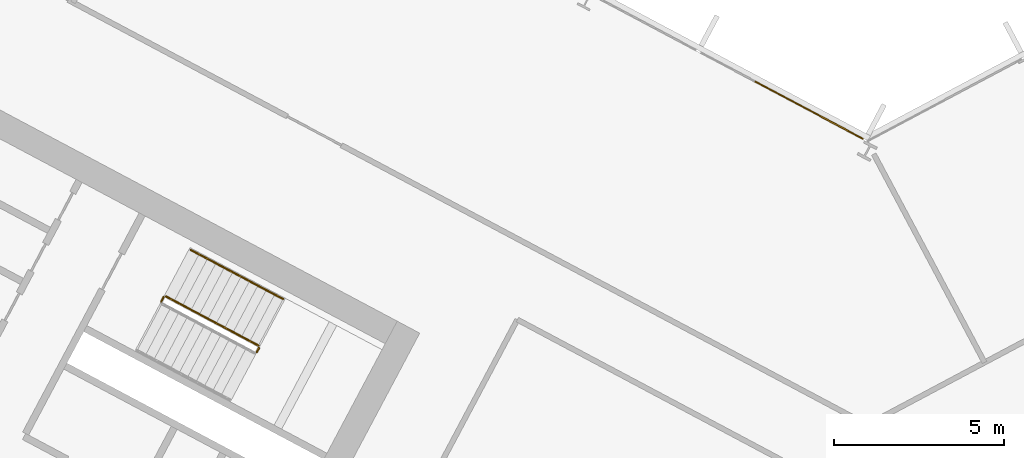
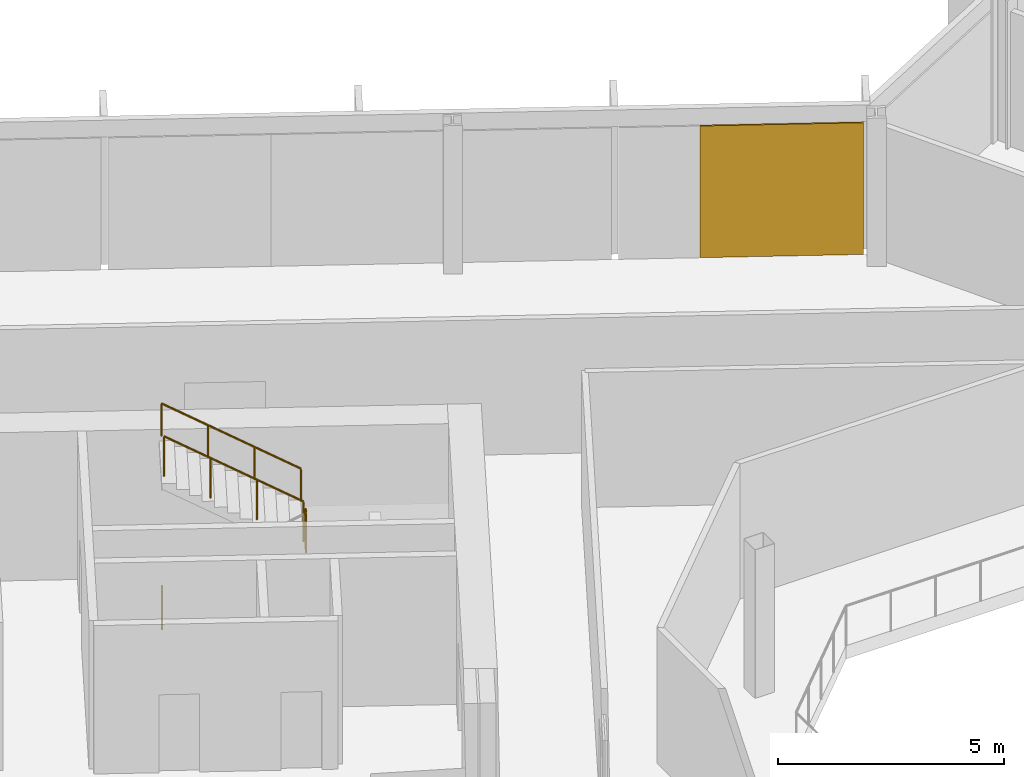
# One storey, part 23 of 28: 4 railings, 1 covering, 1 element without a shape of its own.
"""IFC4 building model written with IfcOpenShell, lengths in metres."""

from ifc_helpers import new_model, si_unit, direction, frame, origin, origin_2d, place, context, subcontext, project, spatial, polyline, rectangle, outline, extrude, material, layer, layer_set, type_object, element, aggregate, save


model = new_model("IFC4")

# Units and contexts
model_context = context("Model", 3, precision=1e-05, world=origin(), true_north=direction((0.0, 1.0)))
body_context = subcontext(model_context, "Body", "Model", "MODEL_VIEW")
ifc_project = project(units=[si_unit("LENGTHUNIT", "METRE"), si_unit("AREAUNIT", "SQUARE_METRE"), si_unit("VOLUMEUNIT", "CUBIC_METRE"), si_unit("PLANEANGLEUNIT", "RADIAN"), si_unit("MASSUNIT", "GRAM", prefix="KILO")], contexts=[model_context])

# Site, building, storey
site_placement = place(None, origin())
site = spatial("IfcSite", under=ifc_project, at=site_placement, CompositionType="ELEMENT")
building_placement = place(site_placement, origin())
building = spatial("IfcBuilding", under=site, at=building_placement, Name="Cormorant Relay Tower", CompositionType="ELEMENT")
storey_placement = place(building_placement, frame((0.0, 0.0, 126.199951171875)))
storey = spatial("IfcBuildingStorey", under=building, at=storey_placement, Name="L25", CompositionType="ELEMENT", Elevation=126.199951171875)

# Curtain wall, covering
ifc_material_1 = material(Name="Aluminium 6063-T6 anodised bronze", Category="aluminium")
ifc_layer_1 = layer(ifc_material_1, 0.199951171875)
ifc_layer_set_1 = layer_set([ifc_layer_1], Name="CW1 unitised bronze curtain wall with vertical fins")
curtain_wall_type = type_object("IfcCurtainWallType", Name="CW1 unitised bronze curtain wall with vertical fins", PredefinedType="NOTDEFINED", material=ifc_layer_set_1)
curtain_wall_placement = place(storey_placement, origin())
curtain_wall = element("IfcCurtainWall", 1, at=curtain_wall_placement, inside=storey, type_object=curtain_wall_type, Name="CW1 curtain wall 9", PredefinedType="NOTDEFINED")
ifc_material_2 = material(Name="Pale bronze anodised aluminium insulated panel", Category="aluminium")
ifc_layer_2 = layer(ifc_material_2, 0.0400390625)
ifc_layer_set_2 = layer_set([ifc_layer_2], Name="CW1 pale bronze insulated panel 40")
covering_type = type_object("IfcCoveringType", Name="CW1 pale bronze insulated panel 40", PredefinedType="CLADDING", material=ifc_layer_set_2)
covering_placement = place(storey_placement, frame((-1.718505859375, 24.720458984375, 0.0), z_axis=(0.0, 0.0, 1.0), x_axis=(-0.882947592859, 0.469471562786, 0.0)))
covering = element("IfcCovering", 2, at=covering_placement, type_object=covering_type, Name="CW1 panel S00", PredefinedType="CLADDING", context=body_context, shape_type="SweptSolid", body=[
    extrude(rectangle(XDim=3.614013671875, YDim=0.0400390625, at=origin_2d()), origin(), (0.0, 0.0, 1.0), 3.550048828125),
])
aggregate(curtain_wall, [covering])

# Railings
ifc_material_3 = material(Name="Steel ASTM A572 Grade 50 (Fy 345 MPa)", Category="steel")
railing_type_1 = type_object("IfcRailingType", Name="Stair guard 1100", PredefinedType="GUARDRAIL", material=ifc_material_3)
railing_1_placement = place(storey_placement, frame((-17.96337890625, 17.592529296875, 2.0)))
element("IfcRailing", 3, at=railing_1_placement, inside=storey, type_object=railing_type_1, Name="L25 A1 stair guard 2", PredefinedType="GUARDRAIL", context=body_context, shape_type="SweptSolid", body=[
    extrude(outline(polyline([(0.022216796875, 0.00927734375), (0.00927734375, 0.022216796875), (-0.00927734375, 0.022216796875), (-0.022216796875, 0.00927734375), (-0.022216796875, -0.00927734375), (-0.00927734375, -0.022216796875), (0.00927734375, -0.022216796875), (0.022216796875, -0.00927734375), (0.022216796875, 0.00927734375)])), frame((0.0, 0.0, 1.076171875), z_axis=(0.46856034887, 0.8834314911, 0.0), x_axis=(-0.8834314911, 0.46856034887, 0.0)), (0.0, 0.0, 1.0), 0.150146484375),
    extrude(outline(polyline([(0.019287109375, 0.008056640625), (0.008056640625, 0.019287109375), (-0.008056640625, 0.019287109375), (-0.019287109375, 0.008056640625), (-0.019287109375, -0.008056640625), (-0.008056640625, -0.019287109375), (0.008056640625, -0.019287109375), (0.019287109375, -0.008056640625), (0.019287109375, 0.008056640625)])), origin(), (0.0, 0.0, 1.0), 1.052001953125),
    extrude(outline(polyline([(0.019287109375, 0.008056640625), (0.008056640625, 0.019287109375), (-0.008056640625, 0.019287109375), (-0.019287109375, 0.008056640625), (-0.019287109375, -0.008056640625), (-0.008056640625, -0.019287109375), (0.008056640625, -0.019287109375), (0.019287109375, -0.008056640625), (0.019287109375, 0.008056640625)])), frame((0.0703125, 0.132568359375, 0.0)), (0.0, 0.0, 1.0), 1.052001953125),
])
railing_2_placement = place(storey_placement, frame((-17.913818359375, 17.792724609375, 2.166748046875)))
element("IfcRailing", 4, at=railing_2_placement, inside=storey, type_object=railing_type_1, Name="L25 A1 stair guard 3", PredefinedType="GUARDRAIL", context=body_context, shape_type="SweptSolid", body=[
    extrude(outline(polyline([(0.022216796875, 0.00927734375), (0.00927734375, 0.022216796875), (-0.00927734375, 0.022216796875), (-0.022216796875, 0.00927734375), (-0.022216796875, -0.00927734375), (-0.00927734375, -0.022216796875), (0.00927734375, -0.022216796875), (0.022216796875, -0.00927734375), (0.022216796875, 0.00927734375)])), frame((0.0, 0.0, 1.076171875), z_axis=(-0.758734504837, 0.403377838015, 0.511476559549), x_axis=(-0.469427602063, -0.882970965786, 0.0)), (0.0, 0.0, 1.0), 3.584228515625),
    extrude(outline(polyline([(0.019287109375, 0.008056640625), (0.008056640625, 0.019287109375), (-0.008056640625, 0.019287109375), (-0.019287109375, 0.008056640625), (-0.019287109375, -0.008056640625), (-0.008056640625, -0.019287109375), (0.008056640625, -0.019287109375), (0.019287109375, -0.008056640625), (0.019287109375, 0.008056640625)])), origin(), (0.0, 0.0, 1.0), 1.052001953125),
    extrude(outline(polyline([(0.019287109375, 0.008056640625), (0.008056640625, 0.019287109375), (-0.008056640625, 0.019287109375), (-0.019287109375, 0.008056640625), (-0.019287109375, -0.008056640625), (-0.008056640625, -0.019287109375), (0.008056640625, -0.019287109375), (0.019287109375, -0.008056640625), (0.019287109375, 0.008056640625)])), frame((-0.906494140625, 0.48193359375, 0.611083984375)), (0.0, 0.0, 1.0), 1.052001953125),
    extrude(outline(polyline([(0.019287109375, 0.008056640625), (0.008056640625, 0.019287109375), (-0.008056640625, 0.019287109375), (-0.019287109375, 0.008056640625), (-0.019287109375, -0.008056640625), (-0.008056640625, -0.019287109375), (0.008056640625, -0.019287109375), (0.019287109375, -0.008056640625), (0.019287109375, 0.008056640625)])), frame((-1.81298828125, 0.9638671875, 1.22216796875)), (0.0, 0.0, 1.0), 1.052001953125),
    extrude(outline(polyline([(0.019287109375, 0.008056640625), (0.008056640625, 0.019287109375), (-0.008056640625, 0.019287109375), (-0.019287109375, 0.008056640625), (-0.019287109375, -0.008056640625), (-0.008056640625, -0.019287109375), (0.008056640625, -0.019287109375), (0.019287109375, -0.008056640625), (0.019287109375, 0.008056640625)])), frame((-2.719482421875, 1.44580078125, 1.833251953125)), (0.0, 0.0, 1.0), 1.052001953125),
])
railing_3_placement = place(storey_placement, frame((-20.771240234375, 19.08544921875, 0.0)))
element("IfcRailing", 5, at=railing_3_placement, inside=storey, type_object=railing_type_1, Name="L25 A1 stair guard 4", PredefinedType="GUARDRAIL", context=body_context, shape_type="SweptSolid", body=[
    extrude(outline(polyline([(0.022216796875, 0.00927734375), (0.00927734375, 0.022216796875), (-0.00927734375, 0.022216796875), (-0.022216796875, 0.00927734375), (-0.022216796875, -0.00927734375), (-0.00927734375, -0.022216796875), (0.00927734375, -0.022216796875), (0.022216796875, -0.00927734375), (0.022216796875, 0.00927734375)])), frame((0.0, 0.0, 1.076171875), z_axis=(0.469828648786, 0.882757634224, 0.0), x_axis=(-0.882757634224, 0.469828648786, 0.0)), (0.0, 0.0, 1.0), 0.150146484375),
    extrude(outline(polyline([(0.019287109375, 0.008056640625), (0.008056640625, 0.019287109375), (-0.008056640625, 0.019287109375), (-0.019287109375, 0.008056640625), (-0.019287109375, -0.008056640625), (-0.008056640625, -0.019287109375), (0.008056640625, -0.019287109375), (0.019287109375, -0.008056640625), (0.019287109375, 0.008056640625)])), origin(), (0.0, 0.0, 1.0), 1.052001953125),
    extrude(outline(polyline([(0.019287109375, 0.008056640625), (0.008056640625, 0.019287109375), (-0.008056640625, 0.019287109375), (-0.019287109375, 0.008056640625), (-0.019287109375, -0.008056640625), (-0.008056640625, -0.019287109375), (0.008056640625, -0.019287109375), (0.019287109375, -0.008056640625), (0.019287109375, 0.008056640625)])), frame((0.070556640625, 0.132568359375, 0.0)), (0.0, 0.0, 1.0), 1.052001953125),
])
ifc_material_4 = material(Name="Steel ASTM A572 Grade 50 (Fy 345 MPa)", Category="steel")
railing_type_2 = type_object("IfcRailingType", Name="Stair handrail 900", PredefinedType="HANDRAIL", material=ifc_material_4)
railing_4_placement = place(storey_placement, frame((-17.18603515625, 19.1611328125, 2.166748046875)))
element("IfcRailing", 6, at=railing_4_placement, inside=storey, type_object=railing_type_2, Name="L25 A1 stair handrail 2", PredefinedType="HANDRAIL", context=body_context, shape_type="SweptSolid", body=[
    extrude(outline(polyline([(0.022216796875, 0.00927734375), (0.00927734375, 0.022216796875), (-0.00927734375, 0.022216796875), (-0.022216796875, 0.00927734375), (-0.022216796875, -0.00927734375), (-0.00927734375, -0.022216796875), (0.00927734375, -0.022216796875), (0.022216796875, -0.00927734375), (0.022216796875, 0.00927734375)])), frame((0.0, 0.0, 0.8759765625), z_axis=(-0.758713656843, 0.403434867536, 0.511462505542), x_axis=(-0.469489399267, -0.882938108802, 0.0)), (0.0, 0.0, 1.0), 3.584228515625),
    extrude(outline(polyline([(0.019287109375, 0.008056640625), (0.008056640625, 0.019287109375), (-0.008056640625, 0.019287109375), (-0.019287109375, 0.008056640625), (-0.019287109375, -0.008056640625), (-0.008056640625, -0.019287109375), (0.008056640625, -0.019287109375), (0.019287109375, -0.008056640625), (0.019287109375, 0.008056640625)])), origin(), (0.0, 0.0, 1.0), 0.851806640625),
    extrude(outline(polyline([(0.019287109375, 0.008056640625), (0.008056640625, 0.019287109375), (-0.008056640625, 0.019287109375), (-0.019287109375, 0.008056640625), (-0.019287109375, -0.008056640625), (-0.008056640625, -0.019287109375), (0.008056640625, -0.019287109375), (0.019287109375, -0.008056640625), (0.019287109375, 0.008056640625)])), frame((-0.906494140625, 0.48193359375, 0.611083984375)), (0.0, 0.0, 1.0), 0.851806640625),
    extrude(outline(polyline([(0.019287109375, 0.008056640625), (0.008056640625, 0.019287109375), (-0.008056640625, 0.019287109375), (-0.019287109375, 0.008056640625), (-0.019287109375, -0.008056640625), (-0.008056640625, -0.019287109375), (0.008056640625, -0.019287109375), (0.019287109375, -0.008056640625), (0.019287109375, 0.008056640625)])), frame((-1.81298828125, 0.964111328125, 1.22216796875)), (0.0, 0.0, 1.0), 0.851806640625),
    extrude(outline(polyline([(0.019287109375, 0.008056640625), (0.008056640625, 0.019287109375), (-0.008056640625, 0.019287109375), (-0.019287109375, 0.008056640625), (-0.019287109375, -0.008056640625), (-0.008056640625, -0.019287109375), (0.008056640625, -0.019287109375), (0.019287109375, -0.008056640625), (0.019287109375, 0.008056640625)])), frame((-2.719482421875, 1.446044921875, 1.833251953125)), (0.0, 0.0, 1.0), 0.851806640625),
])

save(model, "model.ifc")
